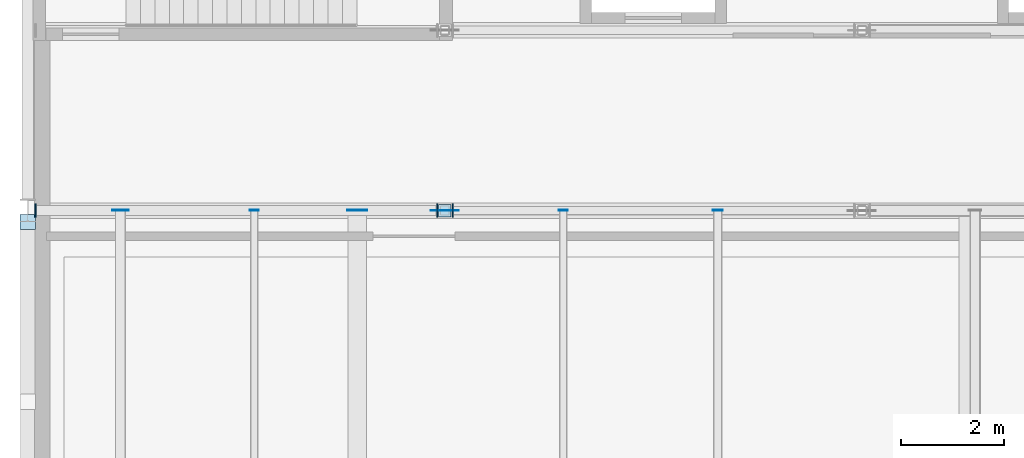
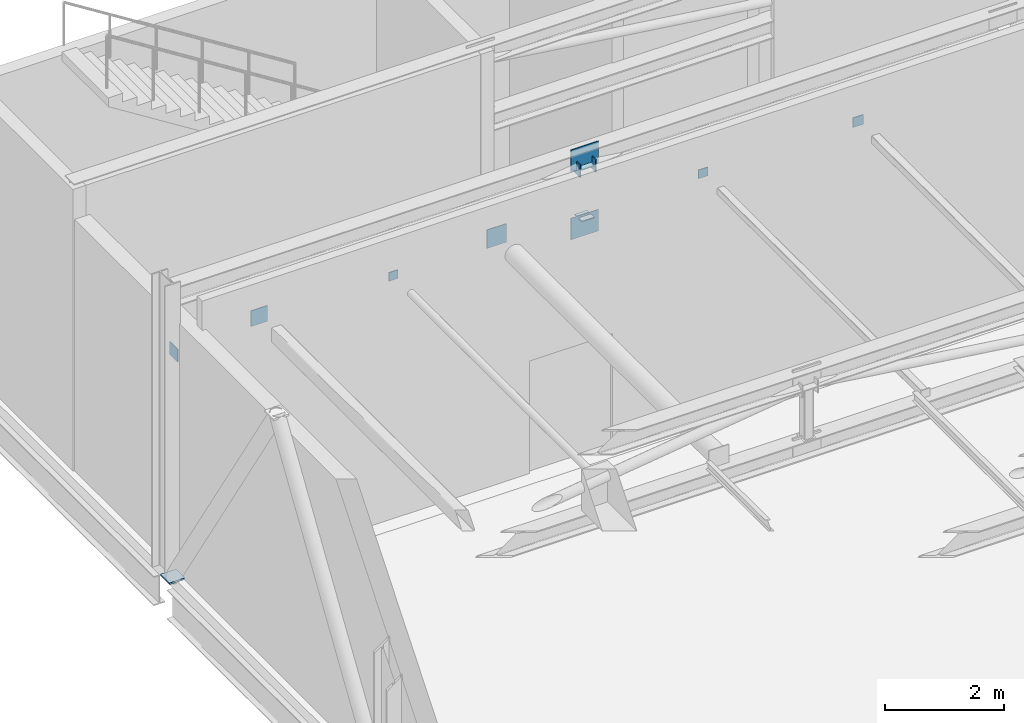
# One storey, part 14 of 21: 13 plates.
"""IFC4 building model written with IfcOpenShell, lengths in metres."""

from ifc_helpers import new_model, si_unit, direction, frame, origin, origin_2d, place, context, subcontext, project, spatial, rectangle, extrude, material, layer, layer_set, type_object, element, save


model = new_model("IFC4")

# Units and contexts
model_context = context("Model", 3, precision=1e-05, world=origin(), true_north=direction((0.0, 1.0)))
body_context = subcontext(model_context, "Body", "Model", "MODEL_VIEW")
ifc_project = project(units=[si_unit("LENGTHUNIT", "METRE"), si_unit("AREAUNIT", "SQUARE_METRE"), si_unit("VOLUMEUNIT", "CUBIC_METRE"), si_unit("PLANEANGLEUNIT", "RADIAN"), si_unit("MASSUNIT", "GRAM", prefix="KILO")], contexts=[model_context])

# Site, building, storey
site_placement = place(None, origin())
site = spatial("IfcSite", under=ifc_project, at=site_placement, CompositionType="ELEMENT")
building_placement = place(site_placement, origin())
building = spatial("IfcBuilding", under=site, at=building_placement, Name="Kaelora Sail Theatre", CompositionType="ELEMENT")
storey_placement = place(building_placement, frame((0.0, 0.0, 27.60009765625)))
storey = spatial("IfcBuildingStorey", under=building, at=storey_placement, Name="L06", CompositionType="ELEMENT", Elevation=27.60009765625)

# Plates
ifc_material_1 = material(Name="Steel S355", Category="steel")
ifc_layer_1 = layer(ifc_material_1, 0.014892578125)
ifc_layer_set_1 = layer_set([ifc_layer_1], Name="Steel S355")
plate_type_1 = type_object("IfcPlateType", Name="STR-PL-EP-15", PredefinedType="SHEET", material=ifc_layer_set_1)
for number, where, z_axis, x_axis, name in (
    (1, (33.89990234375, 75.89990234375, 4.41552734375), (0.0, 0.0, 1.0), (1.0, 0.0, 0.0), "TVT-01 Fly Tower truss 3 vertical strut 1 end cap plate A"),
    (2, (33.89990234375, 75.89990234375, 5.46923828125), (0.0, 0.0, 1.0), (1.0, 0.0, 0.0), "TVT-01 Fly Tower truss 3 vertical strut 1 end cap plate B"),
):
    element("IfcPlate", number, at=place(storey_placement, frame(where, z_axis=z_axis, x_axis=x_axis)), inside=storey, type_object=plate_type_1, Name=name, PredefinedType="SHEET", context=body_context, shape_type="SweptSolid", body=[
        extrude(rectangle(XDim=0.239990234375, YDim=0.239990234375, at=origin_2d()), origin(), (0.0, 0.0, 1.0), 0.014892578125),
    ])
plate_1_placement = place(storey_placement, frame((27.60009765625, 75.90673828125, 4.419921875), z_axis=(0.0, 0.0, 1.0), x_axis=(0.0, 1.0, 0.0)))
element("IfcPlate", 3, at=plate_1_placement, inside=storey, type_object=plate_type_1, Name="HTB-01 Fly Tower headblock tie brace 01 end cap plate B", PredefinedType="SHEET", context=body_context, shape_type="SweptSolid", body=[
    extrude(rectangle(XDim=0.014892578125, YDim=0.320068359375, at=origin_2d()), origin(), (0.0, 0.0, 1.0), 0.320068359375),
])
plate_2_placement = place(storey_placement, frame((30.199951171875, 75.90673828125, 4.40966796875), z_axis=(0.0, 0.0, 1.0), x_axis=(0.0, 1.0, 0.0)))
element("IfcPlate", 4, at=plate_2_placement, inside=storey, type_object=plate_type_1, Name="HTB-01 Fly Tower headblock tie brace 02 end cap plate B", PredefinedType="SHEET", context=body_context, shape_type="SweptSolid", body=[
    extrude(rectangle(XDim=0.014892578125, YDim=0.179931640625, at=origin_2d()), origin(), (0.0, 0.0, 1.0), 0.179931640625),
])
plate_3_placement = place(storey_placement, frame((32.199951171875, 75.90673828125, 4.417724609375), z_axis=(0.0, 0.0, 1.0), x_axis=(0.0, 1.0, 0.0)))
element("IfcPlate", 5, at=plate_3_placement, inside=storey, type_object=plate_type_1, Name="HTB-01 Fly Tower headblock tie brace 03 end cap plate B", PredefinedType="SHEET", context=body_context, shape_type="SweptSolid", body=[
    extrude(rectangle(XDim=0.014892578125, YDim=0.3798828125, at=origin_2d()), origin(), (0.0, 0.0, 1.0), 0.3798828125),
])
plate_4_placement = place(storey_placement, frame((36.199951171875, 75.90673828125, 4.41015625), z_axis=(0.0, 0.0, 1.0), x_axis=(0.0, 1.0, 0.0)))
element("IfcPlate", 6, at=plate_4_placement, inside=storey, type_object=plate_type_1, Name="HTB-01 Fly Tower headblock tie brace 04 end cap plate B", PredefinedType="SHEET", context=body_context, shape_type="SweptSolid", body=[
    extrude(rectangle(XDim=0.014892578125, YDim=0.179931640625, at=origin_2d()), origin(), (0.0, 0.0, 1.0), 0.179931640625),
])
plate_5_placement = place(storey_placement, frame((39.199951171875, 75.90673828125, 4.41015625), z_axis=(0.0, 0.0, 1.0), x_axis=(0.0, 1.0, 0.0)))
element("IfcPlate", 7, at=plate_5_placement, inside=storey, type_object=plate_type_1, Name="HTB-01 Fly Tower headblock tie brace 05 end cap plate B", PredefinedType="SHEET", context=body_context, shape_type="SweptSolid", body=[
    extrude(rectangle(XDim=0.014892578125, YDim=0.199951171875, at=origin_2d()), origin(), (0.0, 0.0, 1.0), 0.199951171875),
])
ifc_material_2 = material(Name="Steel S355", Category="steel")
ifc_layer_2 = layer(ifc_material_2, 0.02001953125)
ifc_layer_set_2 = layer_set([ifc_layer_2], Name="Steel S355")
plate_type_2 = type_object("IfcPlateType", Name="STR-PL-EP-20", PredefinedType="SHEET", material=ifc_layer_set_2)
for number, where, z_axis, x_axis, name in (
    (8, (25.951171875, 75.89990234375, 4.298828125), (0.0, 0.0, 1.0), (1.0, 0.0, 0.0), "TDG-01 Fly Tower truss 3 web diagonal 1 end cap plate A"),
    (9, (33.7490234375, 75.89990234375, 5.34130859375), (0.0, 0.0, 1.0), (1.0, 0.0, 0.0), "TDG-01 Fly Tower truss 3 web diagonal 1 end cap plate B"),
    (10, (34.051025390625, 75.89990234375, 5.34130859375), (0.0, 0.0, 1.0), (1.0, 0.0, 0.0), "TDG-01 Fly Tower truss 3 web diagonal 2 end cap plate A"),
):
    element("IfcPlate", number, at=place(storey_placement, frame(where, z_axis=z_axis, x_axis=x_axis)), inside=storey, type_object=plate_type_2, Name=name, PredefinedType="SHEET", context=body_context, shape_type="SweptSolid", body=[
        extrude(rectangle(XDim=0.02001953125, YDim=0.260009765625, at=origin_2d()), origin(), (0.0, 0.0, 1.0), 0.260009765625),
    ])
ifc_material_3 = material(Name="Steel S355", Category="steel")
ifc_layer_3 = layer(ifc_material_3, 0.035888671875)
ifc_layer_set_3 = layer_set([ifc_layer_3], Name="Steel S355")
plate_type_3 = type_object("IfcPlateType", Name="STR-PL-EP-36", PredefinedType="SHEET", material=ifc_layer_set_3)
plate_6_placement = place(storey_placement, frame((25.800048828125, 75.6787109375, -0.01171875), z_axis=(0.0, 0.0, 1.0), x_axis=(1.0, 0.0, 0.0)))
element("IfcPlate", 11, at=plate_6_placement, inside=storey, type_object=plate_type_3, Name="Fly Tower chevron brace L06 WM2 end cap plate A", PredefinedType="SHEET", context=body_context, shape_type="SweptSolid", body=[
    extrude(rectangle(XDim=0.300048828125, YDim=0.300048828125, at=origin_2d()), origin(), (0.0, 0.0, 1.0), 0.035888671875),
])
ifc_material_4 = material(Name="Steel S355", Category="steel")
ifc_layer_4 = layer(ifc_material_4, 0.011962890625)
ifc_layer_set_4 = layer_set([ifc_layer_4], Name="Steel S355")
plate_type_4 = type_object("IfcPlateType", Name="STR-PL-GP-12", PredefinedType="USERDEFINED", material=ifc_layer_set_4)
for number, where, z_axis, x_axis, name in (
    (12, (33.89990234375, 75.89990234375, 4.030029296875), (0.0, 0.0, 1.0), (1.0, 0.0, 0.0), "Fly Tower truss node gusset plate T3-N1B"),
    (13, (33.89990234375, 75.89990234375, 5.429931640625), (0.0, 0.0, 1.0), (1.0, 0.0, 0.0), "Fly Tower truss node gusset plate T3-N1T"),
):
    element("IfcPlate", number, at=place(storey_placement, frame(where, z_axis=z_axis, x_axis=x_axis)), inside=storey, type_object=plate_type_4, Name=name, ObjectType="GUSSET PLATE", PredefinedType="USERDEFINED", context=body_context, shape_type="SweptSolid", body=[
        extrude(rectangle(XDim=0.5400390625, YDim=0.011962890625, at=origin_2d()), origin(), (0.0, 0.0, 1.0), 0.43994140625),
    ])

save(model, "model.ifc")
